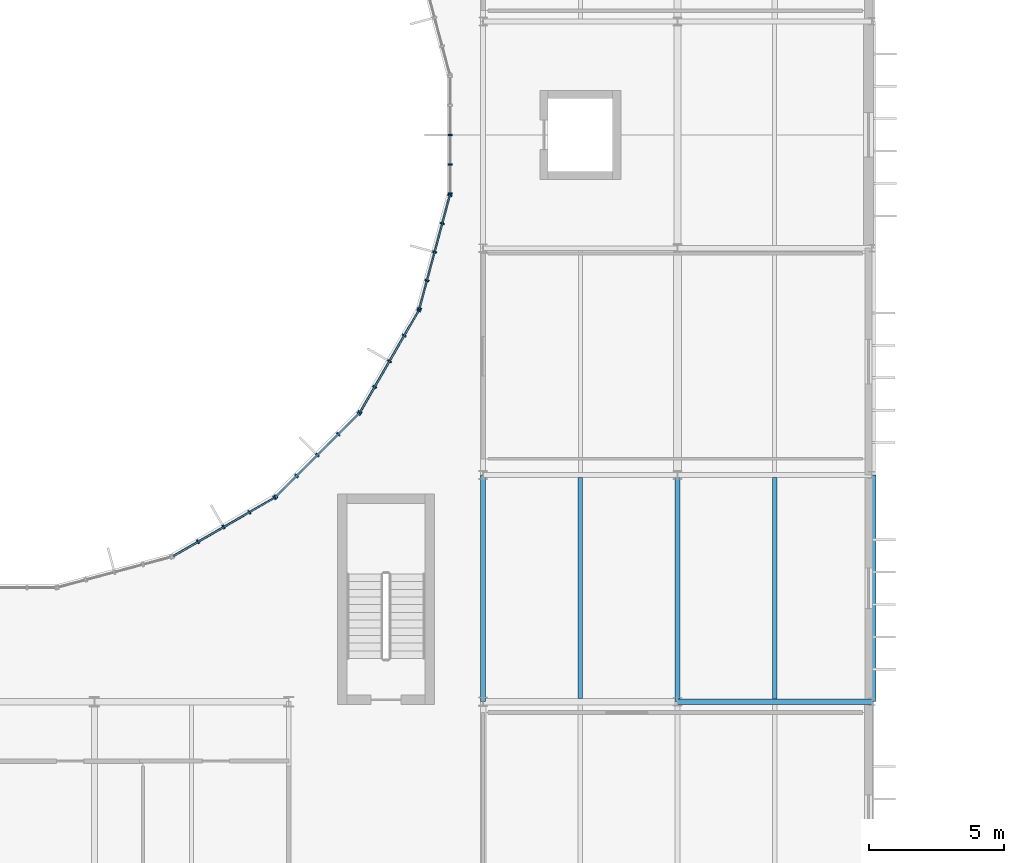
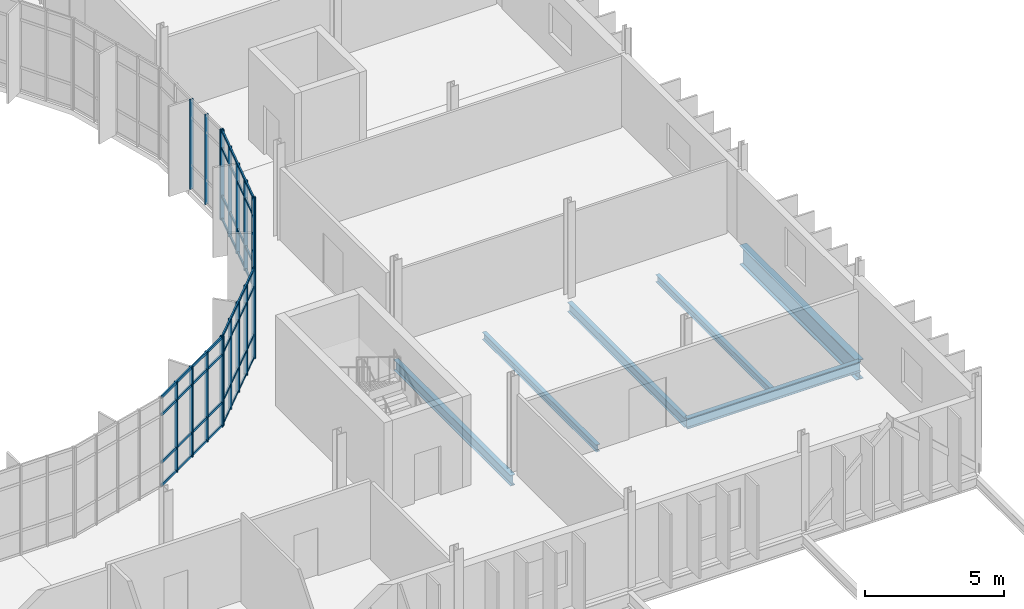
# One storey, part 63 of 119: 38 members, 6 beams, 5 elements without a shape of their own.
"""IFC4 building model written with IfcOpenShell, lengths in metres."""

from ifc_helpers import new_model, si_unit, direction, frame, origin, origin_2d, place, context, subcontext, project, spatial, rectangle, i_section, extrude, material, material_profile, profile_set, type_object, element, aggregate, save


model = new_model("IFC4")

# Units and contexts
model_context = context("Model", 3, precision=1e-05, world=origin(), true_north=direction((0.0, 1.0)))
body_context = subcontext(model_context, "Body", "Model", "MODEL_VIEW")
ifc_project = project(units=[si_unit("LENGTHUNIT", "METRE"), si_unit("AREAUNIT", "SQUARE_METRE"), si_unit("VOLUMEUNIT", "CUBIC_METRE"), si_unit("PLANEANGLEUNIT", "RADIAN"), si_unit("MASSUNIT", "GRAM", prefix="KILO")], contexts=[model_context])

# Site, building, storey
site_placement = place(None, origin())
site = spatial("IfcSite", under=ifc_project, at=site_placement, CompositionType="ELEMENT")
building_placement = place(site_placement, origin())
building = spatial("IfcBuilding", under=site, at=building_placement, Name="Qelthora Terrace Specialist Clinic", CompositionType="ELEMENT")
storey_placement = place(building_placement, frame((0.0, 0.0, 4.800048828125)))
storey = spatial("IfcBuildingStorey", under=building, at=storey_placement, Name="L01", CompositionType="ELEMENT", Elevation=4.800048828125)

# Beams
ifc_material_1 = material(Name="Steel S355", Category="steel")
ifc_material_profile_1 = material_profile(ifc_material_1, i_section(OverallWidth=0.178955078125, OverallDepth=0.409912109375, WebThickness=0.0087890625, FlangeThickness=0.014404296875, FilletRadius=0.011962890625, at=origin_2d()), Name="W410X67")
ifc_profile_set_1 = profile_set([ifc_material_profile_1], Name="Steel S355")
beam_type_1 = type_object("IfcBeamType", Name="BM-W410X67", PredefinedType="BEAM", material=ifc_profile_set_1)
beam_1_placement = place(storey_placement, frame((151.199951171875, 42.0, -0.455078125), z_axis=(0.0, 1.0, 0.0), x_axis=(-1.0, 0.0, 0.0)))
element("IfcBeam", 1, at=beam_1_placement, inside=storey, type_object=beam_type_1, Name="Girder BMY-L01-0530", PredefinedType="BEAM", context=body_context, shape_type="SweptSolid", body=[
    extrude(i_section(OverallWidth=0.178955078125, OverallDepth=0.409912109375, WebThickness=0.0087890625, FlangeThickness=0.014404296875, FilletRadius=0.011962890625, at=origin_2d()), origin(), (0.0, 0.0, 1.0), 8.39990234375),
])
ifc_material_profile_2 = material_profile(ifc_material_1, i_section(OverallWidth=0.193115234375, OverallDepth=0.466064453125, WebThickness=0.011474609375, FlangeThickness=0.01904296875, FilletRadius=0.012939453125, at=origin_2d()), Name="W460X97")
ifc_profile_set_2 = profile_set([ifc_material_profile_2], Name="Steel S355")
beam_type_2 = type_object("IfcBeamType", Name="BM-W460X97", PredefinedType="BEAM", material=ifc_profile_set_2)
beam_2_placement = place(storey_placement, frame((144.0, 42.0, -0.483154296875), z_axis=(0.0, 1.0, 0.0), x_axis=(-1.0, 0.0, 0.0)))
element("IfcBeam", 2, at=beam_2_placement, inside=storey, type_object=beam_type_2, Name="Girder BMY-L01-0517", PredefinedType="BEAM", context=body_context, shape_type="SweptSolid", body=[
    extrude(i_section(OverallWidth=0.193115234375, OverallDepth=0.466064453125, WebThickness=0.011474609375, FlangeThickness=0.01904296875, FilletRadius=0.012939453125, at=origin_2d()), origin(), (0.0, 0.0, 1.0), 8.39990234375),
])
ifc_material_profile_3 = material_profile(ifc_material_1, i_section(OverallWidth=0.2939453125, OverallDepth=0.85107421875, WebThickness=0.01611328125, FlangeThickness=0.02685546875, FilletRadius=0.02001953125, at=origin_2d()), Name="W840X226")
ifc_profile_set_3 = profile_set([ifc_material_profile_3], Name="Steel S355")
beam_type_3 = type_object("IfcBeamType", Name="BM-W840X226", PredefinedType="BEAM", material=ifc_profile_set_3)
beam_3_placement = place(storey_placement, frame((158.39990234375, 42.0, -0.675537109375), z_axis=(0.0, 1.0, 0.0), x_axis=(-1.0, 0.0, 0.0)))
element("IfcBeam", 3, at=beam_3_placement, inside=storey, type_object=beam_type_3, Name="Girder BMY-L01-0541", PredefinedType="BEAM", context=body_context, shape_type="SweptSolid", body=[
    extrude(i_section(OverallWidth=0.2939453125, OverallDepth=0.85107421875, WebThickness=0.01611328125, FlangeThickness=0.02685546875, FilletRadius=0.02001953125, at=origin_2d()), origin(), (0.0, 0.0, 1.0), 8.39990234375),
])

# Curtain wall, members
ifc_material_2 = material(Name="Aluminium anodized bronze", Category="aluminium")
curtain_wall_type = type_object("IfcCurtainWallType", Name="CW-CRTE-UPP", PredefinedType="NOTDEFINED", material=ifc_material_2)
curtain_wall_1_placement = place(storey_placement, origin())
curtain_wall_1 = element("IfcCurtainWall", 4, at=curtain_wall_1_placement, inside=storey, type_object=curtain_wall_type, Name="Curtain wall CW-CE-L01-20", PredefinedType="NOTDEFINED")
ifc_material_profile_4 = material_profile(ifc_material_2, rectangle(XDim=0.06005859375, YDim=0.14990234375, at=origin_2d()), Name="CWM60X150")
ifc_profile_set_4 = profile_set([ifc_material_profile_4], Name="Aluminium anodized bronze")
member_type_1 = type_object("IfcMemberType", Name="CWM-60X150", PredefinedType="MULLION", material=ifc_profile_set_4)
member_1_placement = place(storey_placement, frame((133.438720703125, 47.923095703125, 0.0), z_axis=(0.0, 0.0, 1.0), x_axis=(0.86602538709, 0.500000028915, 0.0)))
member_1 = element("IfcMember", 5, at=member_1_placement, type_object=member_type_1, Name="CW-CE-L01-20 mullion 2", PredefinedType="MULLION", context=body_context, shape_type="SweptSolid", body=[
    extrude(rectangle(XDim=0.06005859375, YDim=0.14990234375, at=origin_2d()), origin(), (0.0, 0.0, 1.0), 3.945068359375),
])
member_2_placement = place(storey_placement, frame((134.38818359375, 48.471435546875, 0.0), z_axis=(0.0, 0.0, 1.0), x_axis=(0.86602538709, 0.500000028915, 0.0)))
member_2 = element("IfcMember", 6, at=member_2_placement, type_object=member_type_1, Name="CW-CE-L01-20 mullion 3", PredefinedType="MULLION", context=body_context, shape_type="SweptSolid", body=[
    extrude(rectangle(XDim=0.06005859375, YDim=0.14990234375, at=origin_2d()), origin(), (0.0, 0.0, 1.0), 3.945068359375),
])
member_3_placement = place(storey_placement, frame((135.337646484375, 49.01953125, 0.0), z_axis=(0.0, 0.0, 1.0), x_axis=(0.86602538709, 0.500000028915, 0.0)))
member_3 = element("IfcMember", 7, at=member_3_placement, type_object=member_type_1, Name="CW-CE-L01-20 mullion 4", PredefinedType="MULLION", context=body_context, shape_type="SweptSolid", body=[
    extrude(rectangle(XDim=0.06005859375, YDim=0.14990234375, at=origin_2d()), origin(), (0.0, 0.0, 1.0), 3.945068359375),
])
member_4_placement = place(storey_placement, frame((136.269775390625, 49.557861328125, 0.0), z_axis=(0.0, 0.0, 1.0), x_axis=(0.86602538709, 0.500000028915, 0.0)))
member_4 = element("IfcMember", 8, at=member_4_placement, type_object=member_type_1, Name="CW-CE-L01-20 mullion 5", PredefinedType="MULLION", context=body_context, shape_type="SweptSolid", body=[
    extrude(rectangle(XDim=0.06005859375, YDim=0.14990234375, at=origin_2d()), origin(), (0.0, 0.0, 1.0), 3.945068359375),
])

curtain_wall_2_placement = place(storey_placement, origin())
curtain_wall_2 = element("IfcCurtainWall", 9, at=curtain_wall_2_placement, inside=storey, type_object=curtain_wall_type, Name="Curtain wall CW-CE-L01-21", PredefinedType="NOTDEFINED")
member_5_placement = place(storey_placement, frame((136.326171875, 49.600830078125, 0.0), z_axis=(0.0, 0.0, 1.0), x_axis=(0.707106781187, 0.707106781187, 0.0)))
member_5 = element("IfcMember", 10, at=member_5_placement, type_object=member_type_1, Name="CW-CE-L01-21 mullion 1", PredefinedType="MULLION", context=body_context, shape_type="SweptSolid", body=[
    extrude(rectangle(XDim=0.06005859375, YDim=0.14990234375, at=origin_2d()), origin(), (0.0, 0.0, 1.0), 3.945068359375),
])
member_6_placement = place(storey_placement, frame((137.08740234375, 50.362060546875, 0.0), z_axis=(0.0, 0.0, 1.0), x_axis=(0.707106781187, 0.707106781187, 0.0)))
member_6 = element("IfcMember", 11, at=member_6_placement, type_object=member_type_1, Name="CW-CE-L01-21 mullion 2", PredefinedType="MULLION", context=body_context, shape_type="SweptSolid", body=[
    extrude(rectangle(XDim=0.06005859375, YDim=0.14990234375, at=origin_2d()), origin(), (0.0, 0.0, 1.0), 3.945068359375),
])
member_7_placement = place(storey_placement, frame((137.862548828125, 51.137451171875, 0.0), z_axis=(0.0, 0.0, 1.0), x_axis=(0.707106781187, 0.707106781187, 0.0)))
member_7 = element("IfcMember", 12, at=member_7_placement, type_object=member_type_1, Name="CW-CE-L01-21 mullion 3", PredefinedType="MULLION", context=body_context, shape_type="SweptSolid", body=[
    extrude(rectangle(XDim=0.06005859375, YDim=0.14990234375, at=origin_2d()), origin(), (0.0, 0.0, 1.0), 3.945068359375),
])
member_8_placement = place(storey_placement, frame((138.637939453125, 51.91259765625, 0.0), z_axis=(0.0, 0.0, 1.0), x_axis=(0.707106781187, 0.707106781187, 0.0)))
member_8 = element("IfcMember", 13, at=member_8_placement, type_object=member_type_1, Name="CW-CE-L01-21 mullion 4", PredefinedType="MULLION", context=body_context, shape_type="SweptSolid", body=[
    extrude(rectangle(XDim=0.06005859375, YDim=0.14990234375, at=origin_2d()), origin(), (0.0, 0.0, 1.0), 3.945068359375),
])
member_9_placement = place(storey_placement, frame((139.399169921875, 52.673828125, 0.0), z_axis=(0.0, 0.0, 1.0), x_axis=(0.707106781187, 0.707106781187, 0.0)))
member_9 = element("IfcMember", 14, at=member_9_placement, type_object=member_type_1, Name="CW-CE-L01-21 mullion 5", PredefinedType="MULLION", context=body_context, shape_type="SweptSolid", body=[
    extrude(rectangle(XDim=0.06005859375, YDim=0.14990234375, at=origin_2d()), origin(), (0.0, 0.0, 1.0), 3.945068359375),
])

curtain_wall_3_placement = place(storey_placement, origin())
curtain_wall_3 = element("IfcCurtainWall", 15, at=curtain_wall_3_placement, inside=storey, type_object=curtain_wall_type, Name="Curtain wall CW-CE-L01-22", PredefinedType="NOTDEFINED")
member_10_placement = place(storey_placement, frame((139.442138671875, 52.730224609375, 0.0), z_axis=(0.0, 0.0, 1.0), x_axis=(0.500000028915, 0.86602538709, 0.0)))
member_10 = element("IfcMember", 16, at=member_10_placement, type_object=member_type_1, Name="CW-CE-L01-22 mullion 1", PredefinedType="MULLION", context=body_context, shape_type="SweptSolid", body=[
    extrude(rectangle(XDim=0.06005859375, YDim=0.14990234375, at=origin_2d()), origin(), (0.0, 0.0, 1.0), 3.945068359375),
])
member_11_placement = place(storey_placement, frame((139.98046875, 53.662353515625, 0.0), z_axis=(0.0, 0.0, 1.0), x_axis=(0.500000028915, 0.86602538709, 0.0)))
member_11 = element("IfcMember", 17, at=member_11_placement, type_object=member_type_1, Name="CW-CE-L01-22 mullion 2", PredefinedType="MULLION", context=body_context, shape_type="SweptSolid", body=[
    extrude(rectangle(XDim=0.06005859375, YDim=0.14990234375, at=origin_2d()), origin(), (0.0, 0.0, 1.0), 3.945068359375),
])
member_12_placement = place(storey_placement, frame((140.528564453125, 54.61181640625, 0.0), z_axis=(0.0, 0.0, 1.0), x_axis=(0.500000028915, 0.86602538709, 0.0)))
member_12 = element("IfcMember", 18, at=member_12_placement, type_object=member_type_1, Name="CW-CE-L01-22 mullion 3", PredefinedType="MULLION", context=body_context, shape_type="SweptSolid", body=[
    extrude(rectangle(XDim=0.06005859375, YDim=0.14990234375, at=origin_2d()), origin(), (0.0, 0.0, 1.0), 3.945068359375),
])
member_13_placement = place(storey_placement, frame((141.076904296875, 55.561279296875, 0.0), z_axis=(0.0, 0.0, 1.0), x_axis=(0.500000028915, 0.86602538709, 0.0)))
member_13 = element("IfcMember", 19, at=member_13_placement, type_object=member_type_1, Name="CW-CE-L01-22 mullion 4", PredefinedType="MULLION", context=body_context, shape_type="SweptSolid", body=[
    extrude(rectangle(XDim=0.06005859375, YDim=0.14990234375, at=origin_2d()), origin(), (0.0, 0.0, 1.0), 3.945068359375),
])
member_14_placement = place(storey_placement, frame((141.614990234375, 56.49365234375, 0.0), z_axis=(0.0, 0.0, 1.0), x_axis=(0.500000028915, 0.86602538709, 0.0)))
member_14 = element("IfcMember", 20, at=member_14_placement, type_object=member_type_1, Name="CW-CE-L01-22 mullion 5", PredefinedType="MULLION", context=body_context, shape_type="SweptSolid", body=[
    extrude(rectangle(XDim=0.06005859375, YDim=0.14990234375, at=origin_2d()), origin(), (0.0, 0.0, 1.0), 3.945068359375),
])

curtain_wall_4_placement = place(storey_placement, origin())
curtain_wall_4 = element("IfcCurtainWall", 21, at=curtain_wall_4_placement, inside=storey, type_object=curtain_wall_type, Name="Curtain wall CW-CE-L01-23", PredefinedType="NOTDEFINED")
member_15_placement = place(storey_placement, frame((141.642333984375, 56.55908203125, 0.0), z_axis=(0.0, 0.0, 1.0), x_axis=(0.258819664824, 0.965925660235, 0.0)))
member_15 = element("IfcMember", 22, at=member_15_placement, type_object=member_type_1, Name="CW-CE-L01-23 mullion 1", PredefinedType="MULLION", context=body_context, shape_type="SweptSolid", body=[
    extrude(rectangle(XDim=0.06005859375, YDim=0.14990234375, at=origin_2d()), origin(), (0.0, 0.0, 1.0), 3.945068359375),
])
member_16_placement = place(storey_placement, frame((141.9208984375, 57.598876953125, 0.0), z_axis=(0.0, 0.0, 1.0), x_axis=(0.258819664824, 0.965925660235, 0.0)))
member_16 = element("IfcMember", 23, at=member_16_placement, type_object=member_type_1, Name="CW-CE-L01-23 mullion 2", PredefinedType="MULLION", context=body_context, shape_type="SweptSolid", body=[
    extrude(rectangle(XDim=0.06005859375, YDim=0.14990234375, at=origin_2d()), origin(), (0.0, 0.0, 1.0), 3.945068359375),
])
member_17_placement = place(storey_placement, frame((142.20458984375, 58.657958984375, 0.0), z_axis=(0.0, 0.0, 1.0), x_axis=(0.258819664824, 0.965925660235, 0.0)))
member_17 = element("IfcMember", 24, at=member_17_placement, type_object=member_type_1, Name="CW-CE-L01-23 mullion 3", PredefinedType="MULLION", context=body_context, shape_type="SweptSolid", body=[
    extrude(rectangle(XDim=0.06005859375, YDim=0.14990234375, at=origin_2d()), origin(), (0.0, 0.0, 1.0), 3.945068359375),
])
member_18_placement = place(storey_placement, frame((142.488525390625, 59.717041015625, 0.0), z_axis=(0.0, 0.0, 1.0), x_axis=(0.258819664824, 0.965925660235, 0.0)))
member_18 = element("IfcMember", 25, at=member_18_placement, type_object=member_type_1, Name="CW-CE-L01-23 mullion 4", PredefinedType="MULLION", context=body_context, shape_type="SweptSolid", body=[
    extrude(rectangle(XDim=0.06005859375, YDim=0.14990234375, at=origin_2d()), origin(), (0.0, 0.0, 1.0), 3.945068359375),
])
member_19_placement = place(storey_placement, frame((142.76708984375, 60.7568359375, 0.0), z_axis=(0.0, 0.0, 1.0), x_axis=(0.258819664824, 0.965925660235, 0.0)))
member_19 = element("IfcMember", 26, at=member_19_placement, type_object=member_type_1, Name="CW-CE-L01-23 mullion 5", PredefinedType="MULLION", context=body_context, shape_type="SweptSolid", body=[
    extrude(rectangle(XDim=0.06005859375, YDim=0.14990234375, at=origin_2d()), origin(), (0.0, 0.0, 1.0), 3.945068359375),
])

curtain_wall_5_placement = place(storey_placement, origin())
curtain_wall_5 = element("IfcCurtainWall", 27, at=curtain_wall_5_placement, inside=storey, type_object=curtain_wall_type, Name="Curtain wall CW-CE-L01-24", PredefinedType="NOTDEFINED")
member_20_placement = place(storey_placement, frame((142.7763671875, 60.8271484375, 0.0), z_axis=(0.0, 0.0, 1.0), x_axis=(0.0, 1.0, 0.0)))
member_20 = element("IfcMember", 28, at=member_20_placement, type_object=member_type_1, Name="CW-CE-L01-24 mullion 1", PredefinedType="MULLION", context=body_context, shape_type="SweptSolid", body=[
    extrude(rectangle(XDim=0.06005859375, YDim=0.14990234375, at=origin_2d()), origin(), (0.0, 0.0, 1.0), 3.945068359375),
])
member_21_placement = place(storey_placement, frame((142.7763671875, 61.903564453125, 0.0), z_axis=(0.0, 0.0, 1.0), x_axis=(0.0, 1.0, 0.0)))
member_21 = element("IfcMember", 29, at=member_21_placement, type_object=member_type_1, Name="CW-CE-L01-24 mullion 2", PredefinedType="MULLION", context=body_context, shape_type="SweptSolid", body=[
    extrude(rectangle(XDim=0.06005859375, YDim=0.14990234375, at=origin_2d()), origin(), (0.0, 0.0, 1.0), 3.945068359375),
])
member_22_placement = place(storey_placement, frame((142.7763671875, 63.0, 0.0), z_axis=(0.0, 0.0, 1.0), x_axis=(0.0, 1.0, 0.0)))
member_22 = element("IfcMember", 30, at=member_22_placement, type_object=member_type_1, Name="CW-CE-L01-24 mullion 3", PredefinedType="MULLION", context=body_context, shape_type="SweptSolid", body=[
    extrude(rectangle(XDim=0.06005859375, YDim=0.14990234375, at=origin_2d()), origin(), (0.0, 0.0, 1.0), 3.945068359375),
])
aggregate(curtain_wall_5, [member_20, member_21, member_22])

# Member
ifc_material_profile_5 = material_profile(ifc_material_2, rectangle(XDim=0.06005859375, YDim=0.110107421875, at=origin_2d()), Name="CWT60X110")
ifc_profile_set_5 = profile_set([ifc_material_profile_5], Name="Aluminium anodized bronze")
member_type_2 = type_object("IfcMemberType", Name="CWT-60X110", PredefinedType="USERDEFINED", material=ifc_profile_set_5)
member_23_placement = place(storey_placement, frame((132.523681640625, 47.39501953125, 0.0400390625), z_axis=(0.866022228109, 0.500005500391, 0.0), x_axis=(-0.500005500391, 0.866022228109, 0.0)))
member_23 = element("IfcMember", 31, at=member_23_placement, type_object=member_type_2, Name="CW-CE-L01-20 transom 1", ObjectType="TRANSOM", PredefinedType="USERDEFINED", context=body_context, shape_type="SweptSolid", body=[
    extrude(rectangle(XDim=0.06005859375, YDim=0.110107421875, at=origin_2d()), origin(), (0.0, 0.0, 1.0), 4.3056640625),
])

member_24_placement = place(storey_placement, frame((132.523681640625, 47.39501953125, 1.050048828125), z_axis=(0.866022228109, 0.500005500391, 0.0), x_axis=(-0.500005500391, 0.866022228109, 0.0)))
member_24 = element("IfcMember", 32, at=member_24_placement, type_object=member_type_2, Name="CW-CE-L01-20 transom 2", ObjectType="TRANSOM", PredefinedType="USERDEFINED", context=body_context, shape_type="SweptSolid", body=[
    extrude(rectangle(XDim=0.06005859375, YDim=0.110107421875, at=origin_2d()), origin(), (0.0, 0.0, 1.0), 4.3056640625),
])

member_25_placement = place(storey_placement, frame((132.523681640625, 47.39501953125, 3.14501953125), z_axis=(0.866022228109, 0.500005500391, 0.0), x_axis=(-0.500005500391, 0.866022228109, 0.0)))
member_25 = element("IfcMember", 33, at=member_25_placement, type_object=member_type_2, Name="CW-CE-L01-20 transom 3", ObjectType="TRANSOM", PredefinedType="USERDEFINED", context=body_context, shape_type="SweptSolid", body=[
    extrude(rectangle(XDim=0.06005859375, YDim=0.110107421875, at=origin_2d()), origin(), (0.0, 0.0, 1.0), 4.3056640625),
])

member_26_placement = place(storey_placement, frame((132.523681640625, 47.39501953125, 3.905029296875), z_axis=(0.866022228109, 0.500005500391, 0.0), x_axis=(-0.500005500391, 0.866022228109, 0.0)))
member_26 = element("IfcMember", 34, at=member_26_placement, type_object=member_type_2, Name="CW-CE-L01-20 transom 4", ObjectType="TRANSOM", PredefinedType="USERDEFINED", context=body_context, shape_type="SweptSolid", body=[
    extrude(rectangle(XDim=0.06005859375, YDim=0.110107421875, at=origin_2d()), origin(), (0.0, 0.0, 1.0), 4.3056640625),
])

aggregate(curtain_wall_1, [member_1, member_2, member_3, member_4, member_23, member_24, member_25, member_26])

member_27_placement = place(storey_placement, frame((136.34033203125, 49.614990234375, 0.0400390625), z_axis=(0.707106781187, 0.707106781187, 0.0), x_axis=(-0.707106781187, 0.707106781187, 0.0)))
member_27 = element("IfcMember", 35, at=member_27_placement, type_object=member_type_2, Name="CW-CE-L01-21 transom 1", ObjectType="TRANSOM", PredefinedType="USERDEFINED", context=body_context, shape_type="SweptSolid", body=[
    extrude(rectangle(XDim=0.06005859375, YDim=0.110107421875, at=origin_2d()), origin(), (0.0, 0.0, 1.0), 4.305908203125),
])

member_28_placement = place(storey_placement, frame((136.34033203125, 49.614990234375, 1.050048828125), z_axis=(0.707106781187, 0.707106781187, 0.0), x_axis=(-0.707106781187, 0.707106781187, 0.0)))
member_28 = element("IfcMember", 36, at=member_28_placement, type_object=member_type_2, Name="CW-CE-L01-21 transom 2", ObjectType="TRANSOM", PredefinedType="USERDEFINED", context=body_context, shape_type="SweptSolid", body=[
    extrude(rectangle(XDim=0.06005859375, YDim=0.110107421875, at=origin_2d()), origin(), (0.0, 0.0, 1.0), 4.305908203125),
])

member_29_placement = place(storey_placement, frame((136.34033203125, 49.614990234375, 3.14501953125), z_axis=(0.707106781187, 0.707106781187, 0.0), x_axis=(-0.707106781187, 0.707106781187, 0.0)))
member_29 = element("IfcMember", 37, at=member_29_placement, type_object=member_type_2, Name="CW-CE-L01-21 transom 3", ObjectType="TRANSOM", PredefinedType="USERDEFINED", context=body_context, shape_type="SweptSolid", body=[
    extrude(rectangle(XDim=0.06005859375, YDim=0.110107421875, at=origin_2d()), origin(), (0.0, 0.0, 1.0), 4.305908203125),
])

member_30_placement = place(storey_placement, frame((136.34033203125, 49.614990234375, 3.905029296875), z_axis=(0.707106781187, 0.707106781187, 0.0), x_axis=(-0.707106781187, 0.707106781187, 0.0)))
member_30 = element("IfcMember", 38, at=member_30_placement, type_object=member_type_2, Name="CW-CE-L01-21 transom 4", ObjectType="TRANSOM", PredefinedType="USERDEFINED", context=body_context, shape_type="SweptSolid", body=[
    extrude(rectangle(XDim=0.06005859375, YDim=0.110107421875, at=origin_2d()), origin(), (0.0, 0.0, 1.0), 4.305908203125),
])

aggregate(curtain_wall_2, [member_5, member_6, member_7, member_8, member_9, member_27, member_28, member_29, member_30])

member_31_placement = place(storey_placement, frame((139.4521484375, 52.74755859375, 0.0400390625), z_axis=(0.500005500391, 0.866022228109, 0.0), x_axis=(-0.866022228109, 0.500005500391, 0.0)))
member_31 = element("IfcMember", 39, at=member_31_placement, type_object=member_type_2, Name="CW-CE-L01-22 transom 1", ObjectType="TRANSOM", PredefinedType="USERDEFINED", context=body_context, shape_type="SweptSolid", body=[
    extrude(rectangle(XDim=0.06005859375, YDim=0.110107421875, at=origin_2d()), origin(), (0.0, 0.0, 1.0), 4.3056640625),
])

member_32_placement = place(storey_placement, frame((139.4521484375, 52.74755859375, 1.050048828125), z_axis=(0.500005500391, 0.866022228109, 0.0), x_axis=(-0.866022228109, 0.500005500391, 0.0)))
member_32 = element("IfcMember", 40, at=member_32_placement, type_object=member_type_2, Name="CW-CE-L01-22 transom 2", ObjectType="TRANSOM", PredefinedType="USERDEFINED", context=body_context, shape_type="SweptSolid", body=[
    extrude(rectangle(XDim=0.06005859375, YDim=0.110107421875, at=origin_2d()), origin(), (0.0, 0.0, 1.0), 4.3056640625),
])

member_33_placement = place(storey_placement, frame((139.4521484375, 52.74755859375, 3.14501953125), z_axis=(0.500005500391, 0.866022228109, 0.0), x_axis=(-0.866022228109, 0.500005500391, 0.0)))
member_33 = element("IfcMember", 41, at=member_33_placement, type_object=member_type_2, Name="CW-CE-L01-22 transom 3", ObjectType="TRANSOM", PredefinedType="USERDEFINED", context=body_context, shape_type="SweptSolid", body=[
    extrude(rectangle(XDim=0.06005859375, YDim=0.110107421875, at=origin_2d()), origin(), (0.0, 0.0, 1.0), 4.3056640625),
])

member_34_placement = place(storey_placement, frame((139.4521484375, 52.74755859375, 3.905029296875), z_axis=(0.500005500391, 0.866022228109, 0.0), x_axis=(-0.866022228109, 0.500005500391, 0.0)))
member_34 = element("IfcMember", 42, at=member_34_placement, type_object=member_type_2, Name="CW-CE-L01-22 transom 4", ObjectType="TRANSOM", PredefinedType="USERDEFINED", context=body_context, shape_type="SweptSolid", body=[
    extrude(rectangle(XDim=0.06005859375, YDim=0.110107421875, at=origin_2d()), origin(), (0.0, 0.0, 1.0), 4.3056640625),
])

aggregate(curtain_wall_3, [member_10, member_11, member_12, member_13, member_14, member_31, member_32, member_33, member_34])

member_35_placement = place(storey_placement, frame((141.6474609375, 56.57861328125, 0.0400390625), z_axis=(0.25879182601, 0.965933119212, 0.0), x_axis=(-0.965933119212, 0.25879182601, 0.0)))
member_35 = element("IfcMember", 43, at=member_35_placement, type_object=member_type_2, Name="CW-CE-L01-23 transom 1", ObjectType="TRANSOM", PredefinedType="USERDEFINED", context=body_context, shape_type="SweptSolid", body=[
    extrude(rectangle(XDim=0.06005859375, YDim=0.110107421875, at=origin_2d()), origin(), (0.0, 0.0, 1.0), 4.3056640625),
])

member_36_placement = place(storey_placement, frame((141.6474609375, 56.57861328125, 1.050048828125), z_axis=(0.25879182601, 0.965933119212, 0.0), x_axis=(-0.965933119212, 0.25879182601, 0.0)))
member_36 = element("IfcMember", 44, at=member_36_placement, type_object=member_type_2, Name="CW-CE-L01-23 transom 2", ObjectType="TRANSOM", PredefinedType="USERDEFINED", context=body_context, shape_type="SweptSolid", body=[
    extrude(rectangle(XDim=0.06005859375, YDim=0.110107421875, at=origin_2d()), origin(), (0.0, 0.0, 1.0), 4.3056640625),
])

member_37_placement = place(storey_placement, frame((141.6474609375, 56.57861328125, 3.14501953125), z_axis=(0.25879182601, 0.965933119212, 0.0), x_axis=(-0.965933119212, 0.25879182601, 0.0)))
member_37 = element("IfcMember", 45, at=member_37_placement, type_object=member_type_2, Name="CW-CE-L01-23 transom 3", ObjectType="TRANSOM", PredefinedType="USERDEFINED", context=body_context, shape_type="SweptSolid", body=[
    extrude(rectangle(XDim=0.06005859375, YDim=0.110107421875, at=origin_2d()), origin(), (0.0, 0.0, 1.0), 4.3056640625),
])

member_38_placement = place(storey_placement, frame((141.6474609375, 56.57861328125, 3.905029296875), z_axis=(0.25879182601, 0.965933119212, 0.0), x_axis=(-0.965933119212, 0.25879182601, 0.0)))
member_38 = element("IfcMember", 46, at=member_38_placement, type_object=member_type_2, Name="CW-CE-L01-23 transom 4", ObjectType="TRANSOM", PredefinedType="USERDEFINED", context=body_context, shape_type="SweptSolid", body=[
    extrude(rectangle(XDim=0.06005859375, YDim=0.110107421875, at=origin_2d()), origin(), (0.0, 0.0, 1.0), 4.3056640625),
])

aggregate(curtain_wall_4, [member_15, member_16, member_17, member_18, member_19, member_35, member_36, member_37, member_38])

# Beams
ifc_material_profile_6 = material_profile(ifc_material_1, i_section(OverallWidth=0.166015625, OverallDepth=0.31298828125, WebThickness=0.006591796875, FlangeThickness=0.01123046875, FilletRadius=0.010009765625, at=origin_2d()), Name="W310X45")
ifc_profile_set_6 = profile_set([ifc_material_profile_6], Name="Steel S355")
beam_type_4 = type_object("IfcBeamType", Name="JST-W310X45", PredefinedType="JOIST", material=ifc_profile_set_6)
beam_4_placement = place(storey_placement, frame((147.60009765625, 42.114990234375, -0.406494140625), z_axis=(0.0, 1.0, 0.0), x_axis=(-1.0, 0.0, 0.0)))
element("IfcBeam", 47, at=beam_4_placement, inside=storey, type_object=beam_type_4, Name="Composite floor joist JST-L01-0136", PredefinedType="JOIST", context=body_context, shape_type="SweptSolid", body=[
    extrude(i_section(OverallWidth=0.166015625, OverallDepth=0.31298828125, WebThickness=0.006591796875, FlangeThickness=0.01123046875, FilletRadius=0.010009765625, at=origin_2d()), origin(), (0.0, 0.0, 1.0), 8.1884765625),
])
beam_5_placement = place(storey_placement, frame((154.800048828125, 42.095458984375, -0.406494140625), z_axis=(0.0, 1.0, 0.0), x_axis=(-1.0, 0.0, 0.0)))
element("IfcBeam", 48, at=beam_5_placement, inside=storey, type_object=beam_type_4, Name="Composite floor joist JST-L01-0142", PredefinedType="JOIST", context=body_context, shape_type="SweptSolid", body=[
    extrude(i_section(OverallWidth=0.166015625, OverallDepth=0.31298828125, WebThickness=0.006591796875, FlangeThickness=0.01123046875, FilletRadius=0.010009765625, at=origin_2d()), origin(), (0.0, 0.0, 1.0), 8.208984375),
])
ifc_material_profile_7 = material_profile(ifc_material_1, i_section(OverallWidth=0.19091796875, OverallDepth=0.4599609375, WebThickness=0.010009765625, FlangeThickness=0.01611328125, FilletRadius=0.012939453125, at=origin_2d()), Name="W460X82")
ifc_profile_set_7 = profile_set([ifc_material_profile_7], Name="Steel S355")
beam_type_5 = type_object("IfcBeamType", Name="SPD-W460X82", PredefinedType="SPANDREL", material=ifc_profile_set_7)
beam_6_placement = place(storey_placement, frame((151.199951171875, 42.0, -0.47998046875), z_axis=(1.0, 0.0, 0.0), x_axis=(0.0, 1.0, 0.0)))
element("IfcBeam", 49, at=beam_6_placement, inside=storey, type_object=beam_type_5, Name="Girder BMX-L01-0228", PredefinedType="SPANDREL", context=body_context, shape_type="SweptSolid", body=[
    extrude(i_section(OverallWidth=0.19091796875, OverallDepth=0.4599609375, WebThickness=0.010009765625, FlangeThickness=0.01611328125, FilletRadius=0.012939453125, at=origin_2d()), origin(), (0.0, 0.0, 1.0), 7.199951171875),
])

save(model, "model.ifc")
